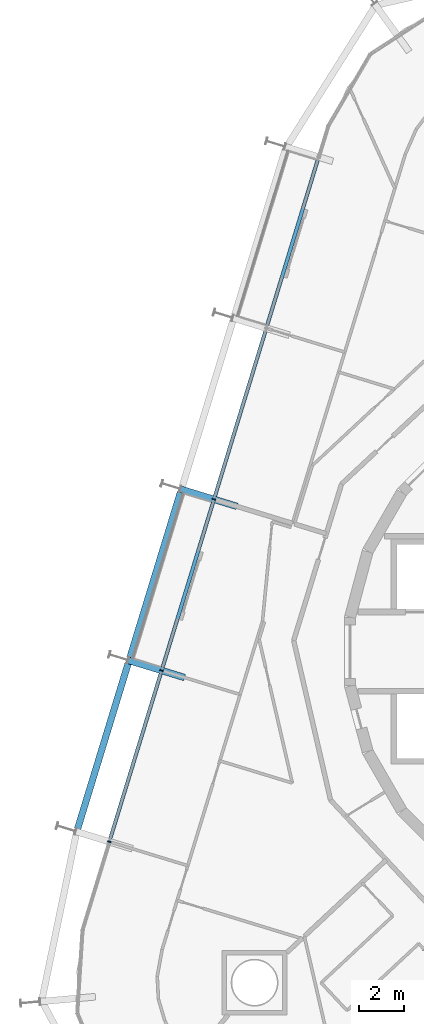
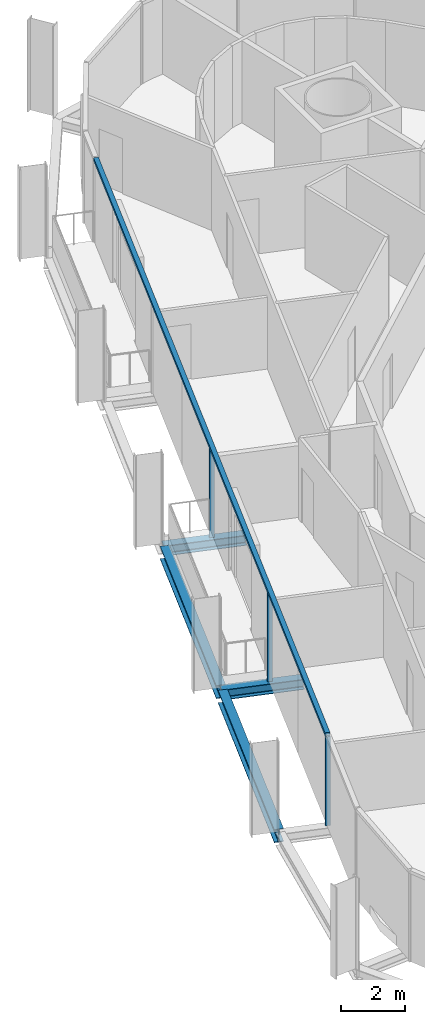
# One storey, part 5 of 18: 4 beams, 4 members, 2 elements without a shape of their own.
"""IFC4 building model written with IfcOpenShell, lengths in metres."""

from ifc_helpers import new_model, si_unit, direction, frame, origin, origin_2d, place, context, subcontext, project, spatial, rectangle, i_section, extrude, material, layer, layer_set, material_profile, profile_set, type_object, element, aggregate, save


model = new_model("IFC4")

# Units and contexts
model_context = context("Model", 3, precision=1e-05, world=origin(), true_north=direction((0.0, 1.0)))
body_context = subcontext(model_context, "Body", "Model", "MODEL_VIEW")
ifc_project = project(units=[si_unit("LENGTHUNIT", "METRE"), si_unit("AREAUNIT", "SQUARE_METRE"), si_unit("VOLUMEUNIT", "CUBIC_METRE"), si_unit("PLANEANGLEUNIT", "RADIAN"), si_unit("MASSUNIT", "GRAM", prefix="KILO")], contexts=[model_context])

# Site, building, storey
site_placement = place(None, origin())
site = spatial("IfcSite", under=ifc_project, at=site_placement, CompositionType="ELEMENT")
building_placement = place(site_placement, origin())
building = spatial("IfcBuilding", under=site, at=building_placement, Name="Spindle Arch Residences", CompositionType="ELEMENT")
storey_placement = place(building_placement, frame((0.0, 0.0, 120.39990234375)))
storey = spatial("IfcBuildingStorey", under=building, at=storey_placement, Name="L29", CompositionType="ELEMENT", Elevation=120.39990234375)

# Curtain wall, members
ifc_material_1 = material(Name="Aluminium bronze unitised frame with tinted glass", Category="aluminium")
ifc_layer_1 = layer(ifc_material_1, 0.159912109375)
ifc_layer_set_1 = layer_set([ifc_layer_1], Name="CW-C typical residential unitised wall")
curtain_wall_type_1 = type_object("IfcCurtainWallType", Name="CW-C typical residential unitised wall", PredefinedType="NOTDEFINED", material=ifc_layer_set_1)
curtain_wall_1_placement = place(storey_placement, origin())
curtain_wall_1 = element("IfcCurtainWall", 1, at=curtain_wall_1_placement, inside=storey, type_object=curtain_wall_type_1, Name="CW-C L29 run 4", PredefinedType="NOTDEFINED")
ifc_material_2 = material(Name="Aluminium bronze anodised mullion", Category="aluminium")
ifc_material_profile_1 = material_profile(ifc_material_2, rectangle(XDim=0.159912109375, YDim=0.06005859375, at=origin_2d()), Name="MU 60x160")
ifc_profile_set_1 = profile_set([ifc_material_profile_1], Name="Aluminium bronze anodised mullion")
member_type_1 = type_object("IfcMemberType", Name="Bronze mullion 60x160", PredefinedType="MULLION", material=ifc_profile_set_1)
member_1_placement = place(storey_placement, frame((-17.750732421875, 6.826171875, -0.3798828125), z_axis=(0.0, 0.0, 1.0), x_axis=(0.956304755963, -0.292371704723, 0.0)))
member_1 = element("IfcMember", 2, at=member_1_placement, type_object=member_type_1, Name="CW-C mullion 14", PredefinedType="MULLION", context=body_context, shape_type="SweptSolid", body=[
    extrude(rectangle(XDim=0.159912109375, YDim=0.06005859375, at=origin_2d()), origin(), (0.0, 0.0, 1.0), 3.3798828125),
])
member_2_placement = place(storey_placement, frame((-20.09814453125, -0.85205078125, -0.3798828125), z_axis=(0.0, 0.0, 1.0), x_axis=(0.956304755963, -0.292371704723, 0.0)))
member_2 = element("IfcMember", 3, at=member_2_placement, type_object=member_type_1, Name="CW-C mullion 15", PredefinedType="MULLION", context=body_context, shape_type="SweptSolid", body=[
    extrude(rectangle(XDim=0.159912109375, YDim=0.06005859375, at=origin_2d()), origin(), (0.0, 0.0, 1.0), 3.3798828125),
])

# Curtain wall, member
ifc_material_3 = material(Name="Aluminium bronze unitised frame with tinted glass", Category="aluminium")
ifc_layer_2 = layer(ifc_material_3, 0.159912109375)
ifc_layer_set_2 = layer_set([ifc_layer_2], Name="CW-D corner wall on the fillet arcs")
curtain_wall_type_2 = type_object("IfcCurtainWallType", Name="CW-D corner wall on the fillet arcs", PredefinedType="NOTDEFINED", material=ifc_layer_set_2)
curtain_wall_2_placement = place(storey_placement, origin())
curtain_wall_2 = element("IfcCurtainWall", 4, at=curtain_wall_2_placement, inside=storey, type_object=curtain_wall_type_2, Name="CW-D L29 run 5", PredefinedType="NOTDEFINED")
member_3_placement = place(storey_placement, frame((-22.44580078125, -8.5302734375, -0.3798828125), z_axis=(0.0, 0.0, 1.0), x_axis=(0.956304755963, -0.292371704723, 0.0)))
member_3 = element("IfcMember", 5, at=member_3_placement, type_object=member_type_1, Name="CW-D mullion 00", PredefinedType="MULLION", context=body_context, shape_type="SweptSolid", body=[
    extrude(rectangle(XDim=0.159912109375, YDim=0.06005859375, at=origin_2d()), origin(), (0.0, 0.0, 1.0), 3.3798828125),
])
aggregate(curtain_wall_2, [member_3])

# Member
ifc_material_4 = material(Name="Aluminium bronze anodised transom", Category="aluminium")
ifc_material_profile_2 = material_profile(ifc_material_4, rectangle(XDim=0.159912109375, YDim=0.1201171875, at=origin_2d()), Name="TR 120x160")
ifc_profile_set_2 = profile_set([ifc_material_profile_2], Name="Aluminium bronze anodised transom")
member_type_2 = type_object("IfcMemberType", Name="Bronze transom 120x160", PredefinedType="USERDEFINED", material=ifc_profile_set_2)
member_4_placement = place(storey_placement, frame((-13.064453125, 22.154296875, 3.06005859375), z_axis=(-0.292373902287, -0.956304084097, 0.0), x_axis=(0.956304084097, -0.292373902287, 0.0)))
member_4 = element("IfcMember", 6, at=member_4_placement, type_object=member_type_2, Name="CW-C transom 00", ObjectType="TRANSOM", PredefinedType="USERDEFINED", context=body_context, shape_type="SweptSolid", body=[
    extrude(rectangle(XDim=0.159912109375, YDim=0.1201171875, at=origin_2d()), origin(), (0.0, 0.0, 1.0), 32.056640625),
])

aggregate(curtain_wall_1, [member_4, member_1, member_2])

# Beams
ifc_material_5 = material(Name="Steel S460ML, intumescent coating R 120", Category="steel")
ifc_material_profile_3 = material_profile(ifc_material_5, i_section(OverallWidth=0.300048828125, OverallDepth=0.5, WebThickness=0.014404296875, FlangeThickness=0.028076171875, FilletRadius=0.027099609375, at=origin_2d()), Name="HEB 500")
ifc_profile_set_3 = profile_set([ifc_material_profile_3], Name="Steel S460ML, intumescent coating R 120")
beam_type_1 = type_object("IfcBeamType", Name="Exoskeleton edge beam HEB 500", PredefinedType="BEAM", material=ifc_profile_set_3)
beam_1_placement = place(storey_placement, frame((-19.251708984375, 7.1494140625, -0.6298828125), z_axis=(-0.292363030977, -0.95630740775, 0.0), x_axis=(0.95630740775, -0.292363030977, 0.0)))
element("IfcBeam", 7, at=beam_1_placement, inside=storey, type_object=beam_type_1, Name="Exoskeleton edge beam 15", PredefinedType="BEAM", context=body_context, shape_type="SweptSolid", body=[
    extrude(i_section(OverallWidth=0.300048828125, OverallDepth=0.5, WebThickness=0.014404296875, FlangeThickness=0.028076171875, FilletRadius=0.027099609375, at=origin_2d()), origin(), (0.0, 0.0, 1.0), 7.769287109375),
])
beam_2_placement = place(storey_placement, frame((-21.599365234375, -0.529052734375, -0.6298828125), z_axis=(-0.292371816855, -0.956304721681, 0.0), x_axis=(0.956304721681, -0.292371816855, 0.0)))
element("IfcBeam", 8, at=beam_2_placement, inside=storey, type_object=beam_type_1, Name="Exoskeleton edge beam 16", PredefinedType="BEAM", context=body_context, shape_type="SweptSolid", body=[
    extrude(i_section(OverallWidth=0.300048828125, OverallDepth=0.5, WebThickness=0.014404296875, FlangeThickness=0.028076171875, FilletRadius=0.027099609375, at=origin_2d()), origin(), (0.0, 0.0, 1.0), 7.76904296875),
])
ifc_material_6 = material(Name="Steel S460ML, intumescent coating R 120", Category="steel")
ifc_material_profile_4 = material_profile(ifc_material_6, i_section(OverallWidth=0.300048828125, OverallDepth=0.389892578125, WebThickness=0.010986328125, FlangeThickness=0.01904296875, FilletRadius=0.027099609375, at=origin_2d()), Name="HEA 400")
ifc_profile_set_4 = profile_set([ifc_material_profile_4], Name="Steel S460ML, intumescent coating R 120")
beam_type_2 = type_object("IfcBeamType", Name="Floor outrigger HEA 400", PredefinedType="BEAM", material=ifc_profile_set_4)
for number, where, z_axis, x_axis, name in (
    (9, (-19.252197265625, 7.285400390625, -0.574951171875), (0.956291475666, -0.292415139091, 0.0), (0.292415139091, 0.956291475666, 0.0), "Floor outrigger 15"),
    (10, (-21.599609375, -0.39306640625, -0.574951171875), (0.956291475666, -0.292415139091, 0.0), (0.292415139091, 0.956291475666, 0.0), "Floor outrigger 16"),
):
    element("IfcBeam", number, at=place(storey_placement, frame(where, z_axis=z_axis, x_axis=x_axis)), inside=storey, type_object=beam_type_2, Name=name, PredefinedType="BEAM", context=body_context, shape_type="SweptSolid", body=[
        extrude(i_section(OverallWidth=0.300048828125, OverallDepth=0.389892578125, WebThickness=0.010986328125, FlangeThickness=0.01904296875, FilletRadius=0.027099609375, at=origin_2d()), origin(), (0.0, 0.0, 1.0), 2.64990234375),
    ])

save(model, "model.ifc")
